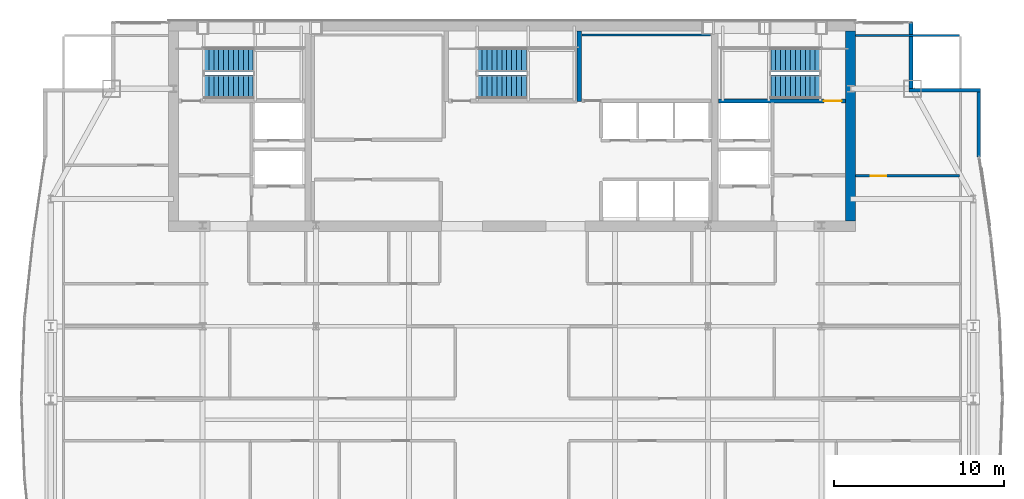
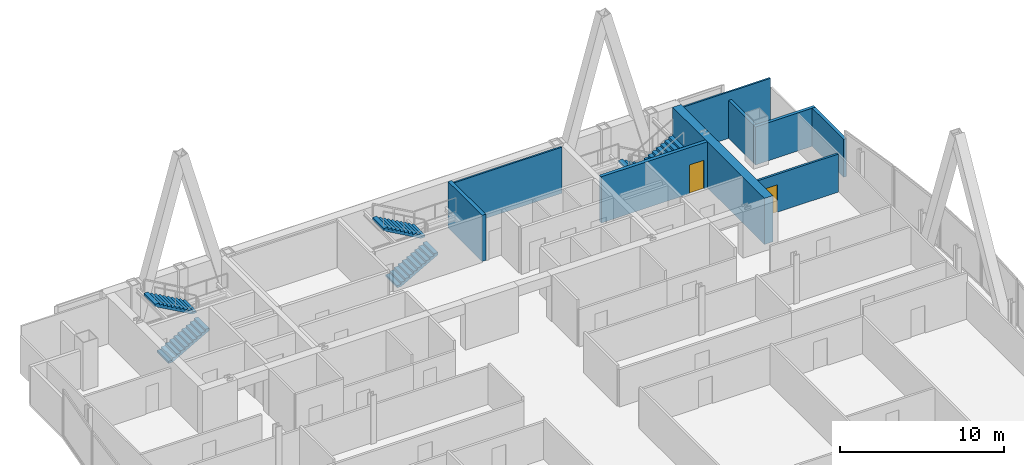
# One storey, part 29 of 31: 9 walls, 6 stair flights, 2 doors, 2 openings, 3 elements without a shape of their own.
"""IFC4 building model written with IfcOpenShell, lengths in metres."""

from ifc_helpers import new_model, si_unit, direction, frame, frame_2d, origin, place, context, subcontext, project, spatial, polyline, rectangle, outline, extrude, material, layer, layer_set, type_object, element, fill, aggregate, save


model = new_model("IFC4")

# Units and contexts
model_context = context("Model", 3, precision=1e-05, world=origin(), true_north=direction((0.0, 1.0)))
body_context = subcontext(model_context, "Body", "Model", "MODEL_VIEW")
ifc_project = project(units=[si_unit("LENGTHUNIT", "METRE"), si_unit("AREAUNIT", "SQUARE_METRE"), si_unit("VOLUMEUNIT", "CUBIC_METRE"), si_unit("PLANEANGLEUNIT", "RADIAN"), si_unit("MASSUNIT", "GRAM", prefix="KILO")], contexts=[model_context])

# Site, building, storey
site_placement = place(None, origin())
site = spatial("IfcSite", under=ifc_project, at=site_placement, CompositionType="ELEMENT")
building_placement = place(site_placement, origin())
building = spatial("IfcBuilding", under=site, at=building_placement, Name="Khoronbel Lancet Exchange", CompositionType="ELEMENT")
storey_placement = place(building_placement, frame((0.0, 0.0, 249.800048828125)))
storey = spatial("IfcBuildingStorey", under=building, at=storey_placement, Name="L64", CompositionType="ELEMENT", Elevation=249.800048828125)

# Walls
ifc_material_1 = material(Name="Concrete C60/75", Category="concrete")
ifc_layer_1 = layer(ifc_material_1, 0.60009765625, Name="Concrete C60/75")
ifc_layer_set_1 = layer_set([ifc_layer_1], Name="Concrete C60/75")
wall_type_1 = type_object("IfcWallType", Name="WL-CW3", PredefinedType="SHEAR", material=ifc_layer_set_1)
wall_1_placement = place(storey_placement, frame((56.39990234375, 53.10009765625, 0.0), z_axis=(0.0, 0.0, 1.0), x_axis=(0.0, -1.0, 0.0)))
element("IfcWall", 1, at=wall_1_placement, inside=storey, type_object=wall_type_1, Name="Level L64 rear core east shear wall", PredefinedType="SHEAR", context=body_context, shape_type="SweptSolid", body=[
    extrude(rectangle(XDim=11.2001953125, YDim=0.60009765625, at=frame_2d((5.60009765625, 0.0))), origin(), (0.0, 0.0, 1.0), 3.43994140625),
])
ifc_material_2 = material(Name="Precast concrete C40/50", Category="concrete")
ifc_layer_2 = layer(ifc_material_2, 0.25, Name="Precast concrete C40/50")
ifc_layer_set_2 = layer_set([ifc_layer_2], Name="Precast concrete C40/50")
wall_type_2 = type_object("IfcWallType", Name="WL-EXT250", PredefinedType="SOLIDWALL", material=ifc_layer_set_2)
wall_2_placement = place(storey_placement, frame((59.9599609375, 53.6298828125, 0.0), z_axis=(0.0, 0.0, 1.0), x_axis=(0.0, -1.0, 0.0)))
element("IfcWall", 2, at=wall_2_placement, inside=storey, type_object=wall_type_2, Name="Level L64 notched-corner limestone pier 14", PredefinedType="SOLIDWALL", context=body_context, shape_type="SweptSolid", body=[
    extrude(rectangle(XDim=3.909912109375, YDim=0.219970703125, at=frame_2d((1.955078125, 0.0))), origin(), (0.0, 0.0, 1.0), 2.829833984375),
])
wall_3_placement = place(storey_placement, frame((59.85009765625, 49.610107421875, 0.0), z_axis=(0.0, 0.0, 1.0), x_axis=(1.0, 0.0, 0.0)))
element("IfcWall", 3, at=wall_3_placement, inside=storey, type_object=wall_type_2, Name="Level L64 notched-corner limestone pier 15", PredefinedType="SOLIDWALL", context=body_context, shape_type="SweptSolid", body=[
    extrude(rectangle(XDim=4.219970703125, YDim=0.219970703125, at=frame_2d((2.10986328125, 0.0))), origin(), (0.0, 0.0, 1.0), 2.829833984375),
])
wall_4_placement = place(storey_placement, frame((63.9599609375, 49.5, 0.0), z_axis=(0.0, 0.0, 1.0), x_axis=(0.0, -1.0, 0.0)))
element("IfcWall", 4, at=wall_4_placement, inside=storey, type_object=wall_type_2, Name="Level L64 notched-corner limestone pier 16", PredefinedType="SOLIDWALL", context=body_context, shape_type="SweptSolid", body=[
    extrude(rectangle(XDim=3.826416015625, YDim=0.219970703125, at=frame_2d((1.9130859375, 0.0))), origin(), (0.0, 0.0, 1.0), 2.829833984375),
])

# Wall, opening, door
ifc_material_3 = material(Name="Acoustic Metal-Stud & Mineral-Wool Gypsum Partition 120 mm", Category="gypsum")
ifc_layer_3 = layer(ifc_material_3, 0.1201171875, Name="Acoustic Metal-Stud & Mineral-Wool Gypsum Partition 120 mm")
ifc_layer_set_3 = layer_set([ifc_layer_3], Name="Acoustic Metal-Stud & Mineral-Wool Gypsum Partition 120 mm")
wall_type_3 = type_object("IfcWallType", Name="WL-PRT120", PredefinedType="PARTITIONING", material=ifc_layer_set_3)
wall_5_placement = place(storey_placement, frame((56.699951171875, 44.56005859375, 0.0), z_axis=(0.0, 0.0, 1.0), x_axis=(1.0, 0.0, 0.0)))
wall_5 = element("IfcWall", 5, at=wall_5_placement, inside=storey, type_object=wall_type_3, Name="Level L64 interior partition PW-NE-H", PredefinedType="PARTITIONING", context=body_context, shape_type="SweptSolid", body=[
    extrude(rectangle(XDim=6.10498046875, YDim=0.14990234375, at=frame_2d((3.052490234375, 0.0))), origin(), (0.0, 0.0, 1.0), 2.829833984375),
])
opening_1_placement = place(wall_5_placement, frame((0.89990234375, 0.0, 0.0)))
opening_1 = element("IfcOpeningElement", 6, at=opening_1_placement, cuts=wall_5, Name="Opening D5", PredefinedType="OPENING", context=body_context, shape_type="SweptSolid", body=[
    extrude(rectangle(XDim=0.89990234375, YDim=2.050048828125, at=frame_2d((0.449951171875, 1.02490234375))), frame((0.0, 0.0849609375, 0.0), z_axis=(0.0, -1.0, 0.0), x_axis=(1.0, 0.0, 0.0)), (0.0, 0.0, 1.0), 0.169921875),
])
ifc_material_4 = material(Name="Acoustic Timber Pantry & Support Door", Category="wood")
door_type_1 = type_object("IfcDoorType", Name="DR-D5", OperationType="NOTDEFINED", PredefinedType="DOOR", material=ifc_material_4)
door_1_placement = place(opening_1_placement, origin())
door_1 = element("IfcDoor", 7, at=door_1_placement, inside=storey, type_object=door_type_1, Name="NE north room door L64-1", OperationType="SINGLE_SWING_RIGHT", OverallHeight=2.050048828125, OverallWidth=0.89990234375, PredefinedType="DOOR", context=body_context, shape_type="SweptSolid", body=[
    extrude(rectangle(XDim=0.89990234375, YDim=2.050048828125, at=frame_2d((0.449951171875, 1.02490234375))), frame((0.0, 0.02490234375, 0.0), z_axis=(0.0, -1.0, 0.0), x_axis=(1.0, 0.0, 0.0)), (0.0, 0.0, 1.0), 0.050048828125),
])
fill(opening_1, door_1)

# Walls
wall_6_placement = place(storey_placement, frame((56.699951171875, 52.840087890625, 0.0), z_axis=(0.0, 0.0, 1.0), x_axis=(1.0, 0.0, 0.0)))
element("IfcWall", 8, at=wall_6_placement, inside=storey, type_object=wall_type_3, Name="Level L64 interior partition PW-LIN-NE", PredefinedType="PARTITIONING", context=body_context, shape_type="SweptSolid", body=[
    extrude(rectangle(XDim=6.10498046875, YDim=0.1201171875, at=frame_2d((3.052490234375, 0.0))), origin(), (0.0, 0.0, 1.0), 3.43994140625),
])
ifc_material_5 = material(Name="Fire-Rated Metal-Stud & Mineral-Wool Gypsum Partition 120 mm", Category="gypsum")
ifc_layer_4 = layer(ifc_material_5, 0.1201171875, Name="Fire-Rated Metal-Stud & Mineral-Wool Gypsum Partition 120 mm")
ifc_layer_set_4 = layer_set([ifc_layer_4], Name="Fire-Rated Metal-Stud & Mineral-Wool Gypsum Partition 120 mm")
wall_type_4 = type_object("IfcWallType", Name="WL-PRT120F", PredefinedType="PARTITIONING", material=ifc_layer_set_4)
wall_7_placement = place(storey_placement, frame((40.580078125, 52.860107421875, 0.0), z_axis=(0.0, 0.0, 1.0), x_axis=(1.0, 0.0, 0.0)))
element("IfcWall", 9, at=wall_7_placement, inside=storey, type_object=wall_type_4, Name="Level L64 interior partition CW-SUP-NE-N", PredefinedType="PARTITIONING", context=body_context, shape_type="SweptSolid", body=[
    extrude(rectangle(XDim=7.559814453125, YDim=0.1201171875, at=frame_2d((3.77978515625, 0.0))), origin(), (0.0, 0.0, 1.0), 3.43994140625),
])
ifc_layer_5 = layer(ifc_material_1, 0.260009765625, Name="Concrete C60/75")
ifc_layer_set_5 = layer_set([ifc_layer_5], Name="Concrete C60/75")
wall_type_5 = type_object("IfcWallType", Name="WL-SW3", PredefinedType="SHEAR", material=ifc_layer_set_5)
wall_8_placement = place(storey_placement, frame((40.419921875, 48.949951171875, 0.0), z_axis=(0.0, 0.0, 1.0), x_axis=(0.0, 1.0, 0.0)))
element("IfcWall", 10, at=wall_8_placement, inside=storey, type_object=wall_type_5, Name="Level L64 central stairwell structural shear wall ST3E", PredefinedType="SHEAR", context=body_context, shape_type="SweptSolid", body=[
    extrude(rectangle(XDim=4.150146484375, YDim=0.260009765625, at=frame_2d((2.0751953125, 0.0))), origin(), (0.0, 0.0, 1.0), 3.43994140625),
])

# Wall, opening, door
wall_9_placement = place(storey_placement, frame((48.6298828125, 48.97998046875, 0.0), z_axis=(0.0, 0.0, 1.0), x_axis=(1.0, 0.0, 0.0)))
wall_9 = element("IfcWall", 11, at=wall_9_placement, inside=storey, type_object=wall_type_5, Name="Level L64 east stairwell structural south wall", PredefinedType="SHEAR", context=body_context, shape_type="SweptSolid", body=[
    extrude(rectangle(XDim=7.47021484375, YDim=0.239990234375, at=frame_2d((3.735107421875, 0.0))), origin(), (0.0, 0.0, 1.0), 3.43994140625),
])
opening_2_placement = place(wall_9_placement, frame((6.199951171875, 0.0, 0.0)))
opening_2 = element("IfcOpeningElement", 12, at=opening_2_placement, cuts=wall_9, Name="Opening SD1", PredefinedType="OPENING", context=body_context, shape_type="SweptSolid", body=[
    extrude(rectangle(XDim=1.050048828125, YDim=2.14990234375, at=frame_2d((0.52490234375, 1.074951171875))), frame((0.0, 0.1298828125, 0.0), z_axis=(0.0, -1.0, 0.0), x_axis=(1.0, 0.0, 0.0)), (0.0, 0.0, 1.0), 0.260009765625),
])
ifc_material_6 = material(Name="Fire-Rated Steel Stairwell Door Assembly", Category="steel")
door_type_2 = type_object("IfcDoorType", Name="DR-SD1", OperationType="NOTDEFINED", PredefinedType="DOOR", material=ifc_material_6)
door_2_placement = place(opening_2_placement, origin())
door_2 = element("IfcDoor", 13, at=door_2_placement, inside=storey, type_object=door_type_2, Name="Protected exit stair ST2 door L64", OperationType="SINGLE_SWING_RIGHT", OverallHeight=2.14990234375, OverallWidth=1.050048828125, PredefinedType="DOOR", context=body_context, shape_type="SweptSolid", body=[
    extrude(rectangle(XDim=1.050048828125, YDim=2.14990234375, at=frame_2d((0.52490234375, 1.074951171875))), frame((0.0, 0.02490234375, 0.0), z_axis=(0.0, -1.0, 0.0), x_axis=(1.0, 0.0, 0.0)), (0.0, 0.0, 1.0), 0.050048828125),
])
fill(opening_2, door_2)

# Stair, stair flights
ifc_material_7 = material(Name="Concrete C40/50", Category="concrete")
stair_type = type_object("IfcStairType", Name="STR-CORE150", PredefinedType="HALF_TURN_STAIR", material=ifc_material_7)
stair_1_placement = place(storey_placement, origin())
stair_1 = element("IfcStair", 14, at=stair_1_placement, inside=storey, type_object=stair_type, Name="L64 Protected Exit Stair ST1", PredefinedType="HALF_TURN_STAIR")
stair_flight_type = type_object("IfcStairFlightType", Name="STF-150", PredefinedType="STRAIGHT", material=ifc_material_7)
stair_flight_1_placement = place(storey_placement, frame((18.300048828125, 49.81005859375, 0.0), z_axis=(0.0, 0.0, 1.0), x_axis=(1.0, 0.0, 0.0)))
stair_flight_1 = element("IfcStairFlight", 15, at=stair_flight_1_placement, type_object=stair_flight_type, Name="ST1 flight 1", NumberOfRisers=11, NumberOfTreads=10, PredefinedType="STRAIGHT", RiserHeight=0.163636364, TreadLength=0.29, context=body_context, shape_type="SweptSolid", body=[
    extrude(outline(polyline([(0.0, 0.0), (0.0, 0.16357421875), (0.2900390625, 0.16357421875), (0.2900390625, 0.327392578125), (0.580078125, 0.327392578125), (0.580078125, 0.490966796875), (0.8701171875, 0.490966796875), (0.8701171875, 0.654541015625), (1.159912109375, 0.654541015625), (1.159912109375, 0.818115234375), (1.449951171875, 0.818115234375), (1.449951171875, 0.98193359375), (1.739990234375, 0.98193359375), (1.739990234375, 1.1455078125), (2.030029296875, 1.1455078125), (2.030029296875, 1.30908203125), (2.320068359375, 1.30908203125), (2.320068359375, 1.47265625), (2.610107421875, 1.47265625), (2.610107421875, 1.636474609375), (2.89990234375, 1.636474609375), (2.89990234375, 1.800048828125), (2.89990234375, 1.46435546875), (0.304931640625, 0.0), (0.0, 0.0)])), frame((0.0, 0.68994140625, 0.0), z_axis=(0.0, -1.0, 0.0), x_axis=(1.0, 0.0, 0.0)), (0.0, 0.0, 1.0), 1.3798828125),
])
stair_flight_2_placement = place(storey_placement, frame((21.199951171875, 51.409912109375, 1.800048828125), z_axis=(0.0, 0.0, 1.0), x_axis=(-1.0, 0.0, 0.0)))
stair_flight_2 = element("IfcStairFlight", 16, at=stair_flight_2_placement, type_object=stair_flight_type, Name="ST1 flight 2", NumberOfRisers=11, NumberOfTreads=10, PredefinedType="STRAIGHT", RiserHeight=0.163636364, TreadLength=0.29, context=body_context, shape_type="SweptSolid", body=[
    extrude(outline(polyline([(0.0, 0.0), (0.0, 0.16357421875), (0.2900390625, 0.16357421875), (0.2900390625, 0.327392578125), (0.580078125, 0.327392578125), (0.580078125, 0.490966796875), (0.8701171875, 0.490966796875), (0.8701171875, 0.654541015625), (1.159912109375, 0.654541015625), (1.159912109375, 0.818115234375), (1.449951171875, 0.818115234375), (1.449951171875, 0.98193359375), (1.739990234375, 0.98193359375), (1.739990234375, 1.1455078125), (2.030029296875, 1.1455078125), (2.030029296875, 1.30908203125), (2.320068359375, 1.30908203125), (2.320068359375, 1.47265625), (2.610107421875, 1.47265625), (2.610107421875, 1.636474609375), (2.89990234375, 1.636474609375), (2.89990234375, 1.800048828125), (2.89990234375, 1.46435546875), (0.304931640625, 0.0), (0.0, 0.0)])), frame((0.0, 0.68994140625, 0.0), z_axis=(0.0, -1.0, 0.0), x_axis=(1.0, 0.0, 0.0)), (0.0, 0.0, 1.0), 1.3798828125),
])
aggregate(stair_1, [stair_flight_1, stair_flight_2])

stair_2_placement = place(storey_placement, origin())
stair_2 = element("IfcStair", 17, at=stair_2_placement, inside=storey, type_object=stair_type, Name="L64 Protected Exit Stair ST2", PredefinedType="HALF_TURN_STAIR")
stair_flight_3_placement = place(storey_placement, frame((54.60009765625, 51.409912109375, 0.0), z_axis=(0.0, 0.0, 1.0), x_axis=(-1.0, 0.0, 0.0)))
stair_flight_3 = element("IfcStairFlight", 18, at=stair_flight_3_placement, type_object=stair_flight_type, Name="ST2 flight 1", NumberOfRisers=11, NumberOfTreads=10, PredefinedType="STRAIGHT", RiserHeight=0.163636364, TreadLength=0.29, context=body_context, shape_type="SweptSolid", body=[
    extrude(outline(polyline([(0.0, 0.0), (0.0, 0.16357421875), (0.2900390625, 0.16357421875), (0.2900390625, 0.327392578125), (0.580078125, 0.327392578125), (0.580078125, 0.490966796875), (0.8701171875, 0.490966796875), (0.8701171875, 0.654541015625), (1.159912109375, 0.654541015625), (1.159912109375, 0.818115234375), (1.449951171875, 0.818115234375), (1.449951171875, 0.98193359375), (1.739990234375, 0.98193359375), (1.739990234375, 1.1455078125), (2.030029296875, 1.1455078125), (2.030029296875, 1.30908203125), (2.320068359375, 1.30908203125), (2.320068359375, 1.47265625), (2.610107421875, 1.47265625), (2.610107421875, 1.636474609375), (2.89990234375, 1.636474609375), (2.89990234375, 1.800048828125), (2.89990234375, 1.46435546875), (0.304931640625, 0.0), (0.0, 0.0)])), frame((0.0, 0.68994140625, 0.0), z_axis=(0.0, -1.0, 0.0), x_axis=(1.0, 0.0, 0.0)), (0.0, 0.0, 1.0), 1.3798828125),
])
stair_flight_4_placement = place(storey_placement, frame((51.699951171875, 49.81005859375, 1.800048828125), z_axis=(0.0, 0.0, 1.0), x_axis=(1.0, 0.0, 0.0)))
stair_flight_4 = element("IfcStairFlight", 19, at=stair_flight_4_placement, type_object=stair_flight_type, Name="ST2 flight 2", NumberOfRisers=11, NumberOfTreads=10, PredefinedType="STRAIGHT", RiserHeight=0.163636364, TreadLength=0.29, context=body_context, shape_type="SweptSolid", body=[
    extrude(outline(polyline([(0.0, 0.0), (0.0, 0.16357421875), (0.2900390625, 0.16357421875), (0.2900390625, 0.327392578125), (0.580078125, 0.327392578125), (0.580078125, 0.490966796875), (0.8701171875, 0.490966796875), (0.8701171875, 0.654541015625), (1.159912109375, 0.654541015625), (1.159912109375, 0.818115234375), (1.449951171875, 0.818115234375), (1.449951171875, 0.98193359375), (1.739990234375, 0.98193359375), (1.739990234375, 1.1455078125), (2.030029296875, 1.1455078125), (2.030029296875, 1.30908203125), (2.320068359375, 1.30908203125), (2.320068359375, 1.47265625), (2.610107421875, 1.47265625), (2.610107421875, 1.636474609375), (2.89990234375, 1.636474609375), (2.89990234375, 1.800048828125), (2.89990234375, 1.46435546875), (0.304931640625, 0.0), (0.0, 0.0)])), frame((0.0, 0.68994140625, 0.0), z_axis=(0.0, -1.0, 0.0), x_axis=(1.0, 0.0, 0.0)), (0.0, 0.0, 1.0), 1.3798828125),
])
aggregate(stair_2, [stair_flight_3, stair_flight_4])

stair_3_placement = place(storey_placement, origin())
stair_3 = element("IfcStair", 20, at=stair_3_placement, inside=storey, type_object=stair_type, Name="L64 Protected Exit Stair ST3", PredefinedType="HALF_TURN_STAIR")
stair_flight_5_placement = place(storey_placement, frame((34.39990234375, 49.81005859375, 0.0), z_axis=(0.0, 0.0, 1.0), x_axis=(1.0, 0.0, 0.0)))
stair_flight_5 = element("IfcStairFlight", 21, at=stair_flight_5_placement, type_object=stair_flight_type, Name="ST3 flight 1", NumberOfRisers=11, NumberOfTreads=10, PredefinedType="STRAIGHT", RiserHeight=0.163636364, TreadLength=0.29, context=body_context, shape_type="SweptSolid", body=[
    extrude(outline(polyline([(0.0, 0.0), (0.0, 0.16357421875), (0.2900390625, 0.16357421875), (0.2900390625, 0.327392578125), (0.580078125, 0.327392578125), (0.580078125, 0.490966796875), (0.8701171875, 0.490966796875), (0.8701171875, 0.654541015625), (1.159912109375, 0.654541015625), (1.159912109375, 0.818115234375), (1.449951171875, 0.818115234375), (1.449951171875, 0.98193359375), (1.739990234375, 0.98193359375), (1.739990234375, 1.1455078125), (2.030029296875, 1.1455078125), (2.030029296875, 1.30908203125), (2.320068359375, 1.30908203125), (2.320068359375, 1.47265625), (2.610107421875, 1.47265625), (2.610107421875, 1.636474609375), (2.89990234375, 1.636474609375), (2.89990234375, 1.800048828125), (2.89990234375, 1.46435546875), (0.304931640625, 0.0), (0.0, 0.0)])), frame((0.0, 0.68994140625, 0.0), z_axis=(0.0, -1.0, 0.0), x_axis=(1.0, 0.0, 0.0)), (0.0, 0.0, 1.0), 1.3798828125),
])
stair_flight_6_placement = place(storey_placement, frame((37.300048828125, 51.409912109375, 1.800048828125), z_axis=(0.0, 0.0, 1.0), x_axis=(-1.0, 0.0, 0.0)))
stair_flight_6 = element("IfcStairFlight", 22, at=stair_flight_6_placement, type_object=stair_flight_type, Name="ST3 flight 2", NumberOfRisers=11, NumberOfTreads=10, PredefinedType="STRAIGHT", RiserHeight=0.163636364, TreadLength=0.29, context=body_context, shape_type="SweptSolid", body=[
    extrude(outline(polyline([(0.0, 0.0), (0.0, 0.16357421875), (0.2900390625, 0.16357421875), (0.2900390625, 0.327392578125), (0.580078125, 0.327392578125), (0.580078125, 0.490966796875), (0.8701171875, 0.490966796875), (0.8701171875, 0.654541015625), (1.159912109375, 0.654541015625), (1.159912109375, 0.818115234375), (1.449951171875, 0.818115234375), (1.449951171875, 0.98193359375), (1.739990234375, 0.98193359375), (1.739990234375, 1.1455078125), (2.030029296875, 1.1455078125), (2.030029296875, 1.30908203125), (2.320068359375, 1.30908203125), (2.320068359375, 1.47265625), (2.610107421875, 1.47265625), (2.610107421875, 1.636474609375), (2.89990234375, 1.636474609375), (2.89990234375, 1.800048828125), (2.89990234375, 1.46435546875), (0.304931640625, 0.0), (0.0, 0.0)])), frame((0.0, 0.68994140625, 0.0), z_axis=(0.0, -1.0, 0.0), x_axis=(1.0, 0.0, 0.0)), (0.0, 0.0, 1.0), 1.3798828125),
])
aggregate(stair_3, [stair_flight_5, stair_flight_6])

save(model, "model.ifc")
